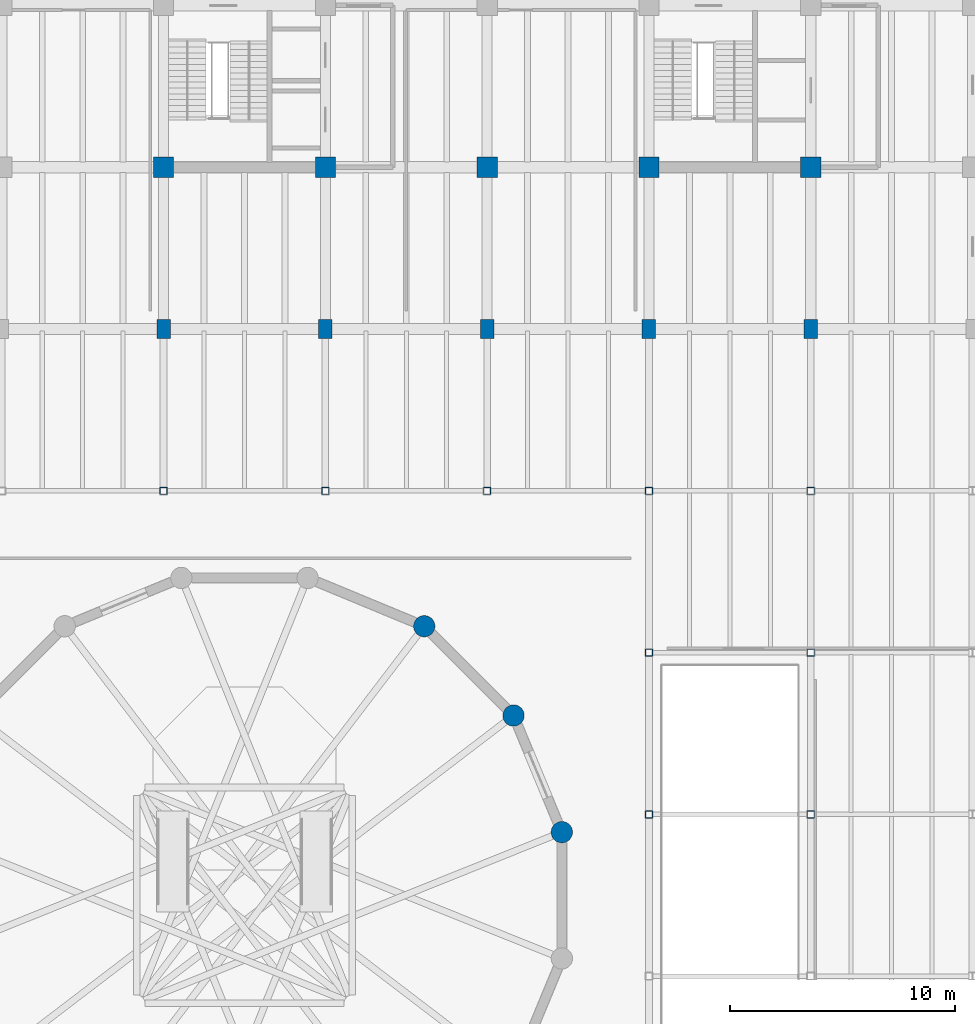
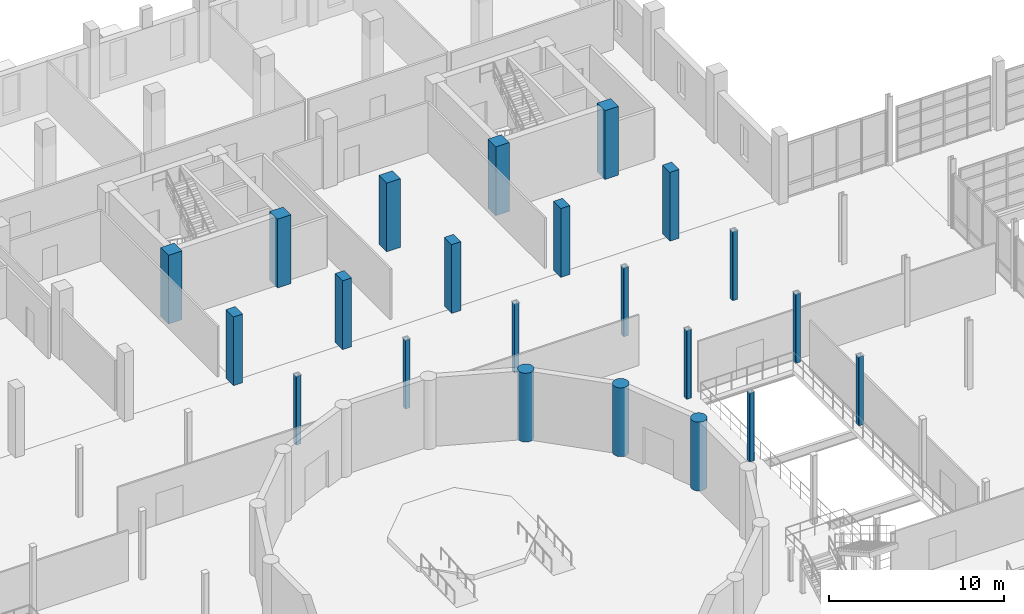
# One storey, part 13 of 77: 22 columns.
"""IFC4 building model written with IfcOpenShell, lengths in metres."""

from ifc_helpers import new_model, si_unit, direction, frame, origin, origin_2d, place, context, subcontext, project, spatial, rectangle, hollow_rectangle, circle, extrude, material, material_profile, profile_set, type_object, element, save


model = new_model("IFC4")

# Units and contexts
model_context = context("Model", 3, precision=1e-05, world=origin(), true_north=direction((0.0, 1.0)))
body_context = subcontext(model_context, "Body", "Model", "MODEL_VIEW")
ifc_project = project(units=[si_unit("LENGTHUNIT", "METRE"), si_unit("AREAUNIT", "SQUARE_METRE"), si_unit("VOLUMEUNIT", "CUBIC_METRE"), si_unit("PLANEANGLEUNIT", "RADIAN"), si_unit("MASSUNIT", "GRAM", prefix="KILO")], contexts=[model_context])

# Site, building, storey
site_placement = place(None, origin())
site = spatial("IfcSite", under=ifc_project, at=site_placement, CompositionType="ELEMENT")
building_placement = place(site_placement, origin())
building = spatial("IfcBuilding", under=site, at=building_placement, Name="Qiaolan Assembly House", CompositionType="ELEMENT")
storey_placement = place(building_placement, frame((0.0, 0.0, 5.39990234375)))
storey = spatial("IfcBuildingStorey", under=building, at=storey_placement, Name="L01", CompositionType="ELEMENT", Elevation=5.39990234375)

# Columns
ifc_material_1 = material(Name="Concrete C50/60", Category="concrete")
ifc_material_profile_1 = material_profile(ifc_material_1, circle(Radius=0.47509765625, at=origin_2d()), Name="CIRC D950")
ifc_profile_set_1 = profile_set([ifc_material_profile_1], Name="Concrete C50/60")
column_type_1 = type_object("IfcColumnType", Name="COL-DRUM-D950", PredefinedType="COLUMN", material=ifc_profile_set_1)
for number, where, z_axis, x_axis, name in (
    (1, (82.523193359375, 64.00927734375, 0.0), (0.0, 0.0, 1.0), (1.0, 0.0, 0.0), "DC-01 chamber drum pier 1 L01"),
    (2, (80.373046875, 69.2001953125, 0.0), (0.0, 0.0, 1.0), (1.0, 0.0, 0.0), "DC-01 chamber drum pier 2 L01"),
    (3, (76.400146484375, 73.173095703125, 0.0), (0.0, 0.0, 1.0), (1.0, 0.0, 0.0), "DC-01 chamber drum pier 3 L01"),
):
    element("IfcColumn", number, at=place(storey_placement, frame(where, z_axis=z_axis, x_axis=x_axis)), inside=storey, type_object=column_type_1, Name=name, PredefinedType="COLUMN", context=body_context, shape_type="SweptSolid", body=[
        extrude(circle(Radius=0.47509765625, at=origin_2d()), origin(), (0.0, 0.0, 1.0), 4.800048828125),
    ])
ifc_material_profile_2 = material_profile(ifc_material_1, rectangle(XDim=0.60009765625, YDim=0.85009765625, at=origin_2d()), Name="RC 850x600")
ifc_profile_set_2 = profile_set([ifc_material_profile_2], Name="Concrete C50/60")
column_type_2 = type_object("IfcColumnType", Name="COL-RC-850x600", PredefinedType="COLUMN", material=ifc_profile_set_2)
for number, where, z_axis, x_axis, name in (
    (4, (64.800048828125, 86.39990234375, 0.0), (0.0, 0.0, 1.0), (1.0, 0.0, 0.0), "RC-13 column NW L01"),
    (5, (72.0, 86.39990234375, 0.0), (0.0, 0.0, 1.0), (1.0, 0.0, 0.0), "RC-13 column NW L01"),
    (6, (79.199951171875, 86.39990234375, 0.0), (0.0, 0.0, 1.0), (1.0, 0.0, 0.0), "RC-13 column NW L01"),
    (7, (86.39990234375, 86.39990234375, 0.0), (0.0, 0.0, 1.0), (1.0, 0.0, 0.0), "RC-13 column NW L01"),
    (8, (93.60009765625, 86.39990234375, 0.0), (0.0, 0.0, 1.0), (1.0, 0.0, 0.0), "RC-13 column NW L01"),
):
    element("IfcColumn", number, at=place(storey_placement, frame(where, z_axis=z_axis, x_axis=x_axis)), inside=storey, type_object=column_type_2, Name=name, PredefinedType="COLUMN", context=body_context, shape_type="SweptSolid", body=[
        extrude(rectangle(XDim=0.60009765625, YDim=0.85009765625, at=origin_2d()), origin(), (0.0, 0.0, 1.0), 4.800048828125),
    ])
ifc_material_profile_3 = material_profile(ifc_material_1, rectangle(XDim=0.89990234375, YDim=0.89990234375, at=origin_2d()), Name="RC 900x900")
ifc_profile_set_3 = profile_set([ifc_material_profile_3], Name="Concrete C50/60")
column_type_3 = type_object("IfcColumnType", Name="COL-RC-900", PredefinedType="COLUMN", material=ifc_profile_set_3)
for number, where, z_axis, x_axis, name in (
    (9, (64.800048828125, 93.60009765625, 0.0), (0.0, 0.0, 1.0), (1.0, 0.0, 0.0), "RC-03 column NW L01"),
    (10, (72.0, 93.60009765625, 0.0), (0.0, 0.0, 1.0), (1.0, 0.0, 0.0), "RC-03 column NW L01"),
    (11, (79.199951171875, 93.60009765625, 0.0), (0.0, 0.0, 1.0), (1.0, 0.0, 0.0), "RC-03 column NW L01"),
    (12, (86.39990234375, 93.60009765625, 0.0), (0.0, 0.0, 1.0), (1.0, 0.0, 0.0), "RC-03 column NW L01"),
    (13, (93.60009765625, 93.60009765625, 0.0), (0.0, 0.0, 1.0), (1.0, 0.0, 0.0), "RC-03 column NW L01"),
):
    element("IfcColumn", number, at=place(storey_placement, frame(where, z_axis=z_axis, x_axis=x_axis)), inside=storey, type_object=column_type_3, Name=name, PredefinedType="COLUMN", context=body_context, shape_type="SweptSolid", body=[
        extrude(rectangle(XDim=0.89990234375, YDim=0.89990234375, at=origin_2d()), origin(), (0.0, 0.0, 1.0), 4.800048828125),
    ])
ifc_material_2 = material(Name="Steel Q355B", Category="steel")
ifc_material_profile_4 = material_profile(ifc_material_2, hollow_rectangle(XDim=0.320068359375, YDim=0.320068359375, WallThickness=0.011962890625, InnerFilletRadius=0.011962890625, OuterFilletRadius=0.02392578125, at=origin_2d()), Name="SHS 320x320x12")
ifc_profile_set_4 = profile_set([ifc_material_profile_4], Name="Steel Q355B")
column_type_4 = type_object("IfcColumnType", Name="COL-STL-SHS320", PredefinedType="COLUMN", material=ifc_profile_set_4)
for number, where, z_axis, x_axis, name in (
    (14, (64.800048828125, 79.199951171875, 0.0), (0.0, 0.0, 1.0), (1.0, 0.0, 0.0), "SC-09 hall column L01"),
    (15, (72.0, 79.199951171875, 0.0), (0.0, 0.0, 1.0), (1.0, 0.0, 0.0), "SC-09 hall column L01"),
    (16, (79.199951171875, 79.199951171875, 0.0), (0.0, 0.0, 1.0), (1.0, 0.0, 0.0), "SC-09 hall column L01"),
    (17, (86.39990234375, 64.800048828125, 0.0), (0.0, 0.0, 1.0), (1.0, 0.0, 0.0), "SC-09 hall column L01"),
    (18, (86.39990234375, 72.0, 0.0), (0.0, 0.0, 1.0), (1.0, 0.0, 0.0), "SC-09 hall column L01"),
    (19, (86.39990234375, 79.199951171875, 0.0), (0.0, 0.0, 1.0), (1.0, 0.0, 0.0), "SC-09 hall column L01"),
    (20, (93.60009765625, 64.800048828125, 0.0), (0.0, 0.0, 1.0), (1.0, 0.0, 0.0), "SC-09 hall column L01"),
    (21, (93.60009765625, 72.0, 0.0), (0.0, 0.0, 1.0), (1.0, 0.0, 0.0), "SC-09 hall column L01"),
    (22, (93.60009765625, 79.199951171875, 0.0), (0.0, 0.0, 1.0), (1.0, 0.0, 0.0), "SC-09 hall column L01"),
):
    element("IfcColumn", number, at=place(storey_placement, frame(where, z_axis=z_axis, x_axis=x_axis)), inside=storey, type_object=column_type_4, Name=name, PredefinedType="COLUMN", context=body_context, shape_type="SweptSolid", body=[
        extrude(hollow_rectangle(XDim=0.320068359375, YDim=0.320068359375, WallThickness=0.011962890625, InnerFilletRadius=0.011962890625, OuterFilletRadius=0.02392578125, at=origin_2d()), origin(), (0.0, 0.0, 1.0), 4.800048828125),
    ])

save(model, "model.ifc")
